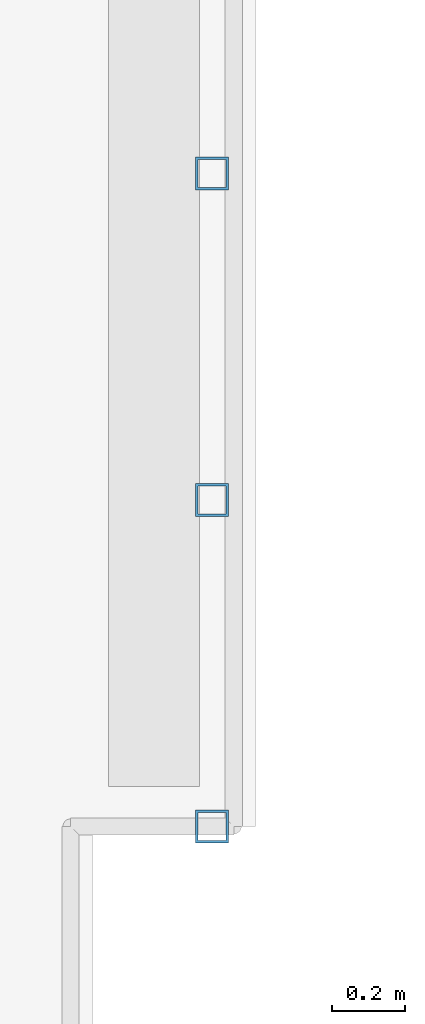
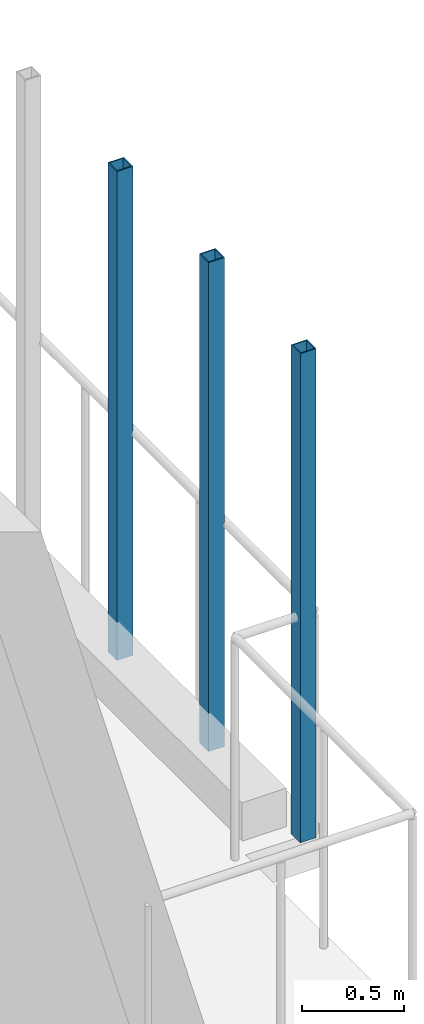
# One storey, part 9 of 51: 3 members.
"""IFC4 building model written with IfcOpenShell, lengths in metres."""

from ifc_helpers import new_model, si_unit, derived_unit, direction, frame, origin, origin_2d, place, context, subcontext, project, spatial, hollow_rectangle, extrude, material, material_profile, profile_set, type_object, element, save


model = new_model("IFC4")

# Units and contexts
model_context = context("Model", 3, precision=1e-05, world=origin(), true_north=direction((0.0, 1.0)))
body_context = subcontext(model_context, "Body", "Model", "MODEL_VIEW")
ifc_project = project(units=[si_unit("LENGTHUNIT", "METRE"), si_unit("AREAUNIT", "SQUARE_METRE"), si_unit("VOLUMEUNIT", "CUBIC_METRE"), si_unit("PLANEANGLEUNIT", "RADIAN"), si_unit("MASSUNIT", "GRAM", prefix="KILO"), derived_unit("THERMALTRANSMITTANCEUNIT", [(si_unit("MASSUNIT", "GRAM", prefix="KILO"), 1), (si_unit("TIMEUNIT", "SECOND"), -3), (si_unit("THERMODYNAMICTEMPERATUREUNIT", "KELVIN"), -1)])], contexts=[model_context])

# Site, building, storey
site_placement = place(None, origin())
site = spatial("IfcSite", under=ifc_project, at=site_placement, CompositionType="ELEMENT")
building_placement = place(site_placement, origin())
building = spatial("IfcBuilding", under=site, at=building_placement, Name="Ochrekiln Boulevard Commons", CompositionType="ELEMENT")
storey_placement = place(building_placement, frame((0.0, 0.0, 18.375)))
storey = spatial("IfcBuildingStorey", under=building, at=storey_placement, Name="L05", CompositionType="ELEMENT", Elevation=18.375)

# Members
ifc_material = material(Name="Steel A500 Grade C", Category="steel")
ifc_material_profile = material_profile(ifc_material, hollow_rectangle(XDim=0.090087890625, YDim=0.090087890625, WallThickness=0.00634765625, at=origin_2d()), Name="HSS90X90X6.4")
ifc_profile_set = profile_set([ifc_material_profile], Name="Steel A500 Grade C")
member_type = type_object("IfcMemberType", Name="MEM-PST-HSS90", PredefinedType="POST", material=ifc_profile_set)
for number, where, z_axis, x_axis, name in (
    (1, (23.47998046875, 78.300048828125, 0.0), (0.0, 0.0, 1.0), (1.0, 0.0, 0.0), "Block A L05 Slim Vertical Balcony Post (111)"),
    (2, (23.47998046875, 79.199951171875, 0.0), (0.0, 0.0, 1.0), (1.0, 0.0, 0.0), "Block A L05 Slim Vertical Balcony Post (112)"),
    (3, (23.47998046875, 80.10009765625, 0.0), (0.0, 0.0, 1.0), (1.0, 0.0, 0.0), "Block A L05 Slim Vertical Balcony Post (113)"),
):
    element("IfcMember", number, at=place(storey_placement, frame(where, z_axis=z_axis, x_axis=x_axis)), inside=storey, type_object=member_type, Name=name, PredefinedType="POST", context=body_context, shape_type="SweptSolid", body=[
        extrude(hollow_rectangle(XDim=0.090087890625, YDim=0.090087890625, WallThickness=0.00634765625, at=origin_2d()), origin(), (0.0, 0.0, 1.0), 2.929931640625),
    ])

save(model, "model.ifc")
